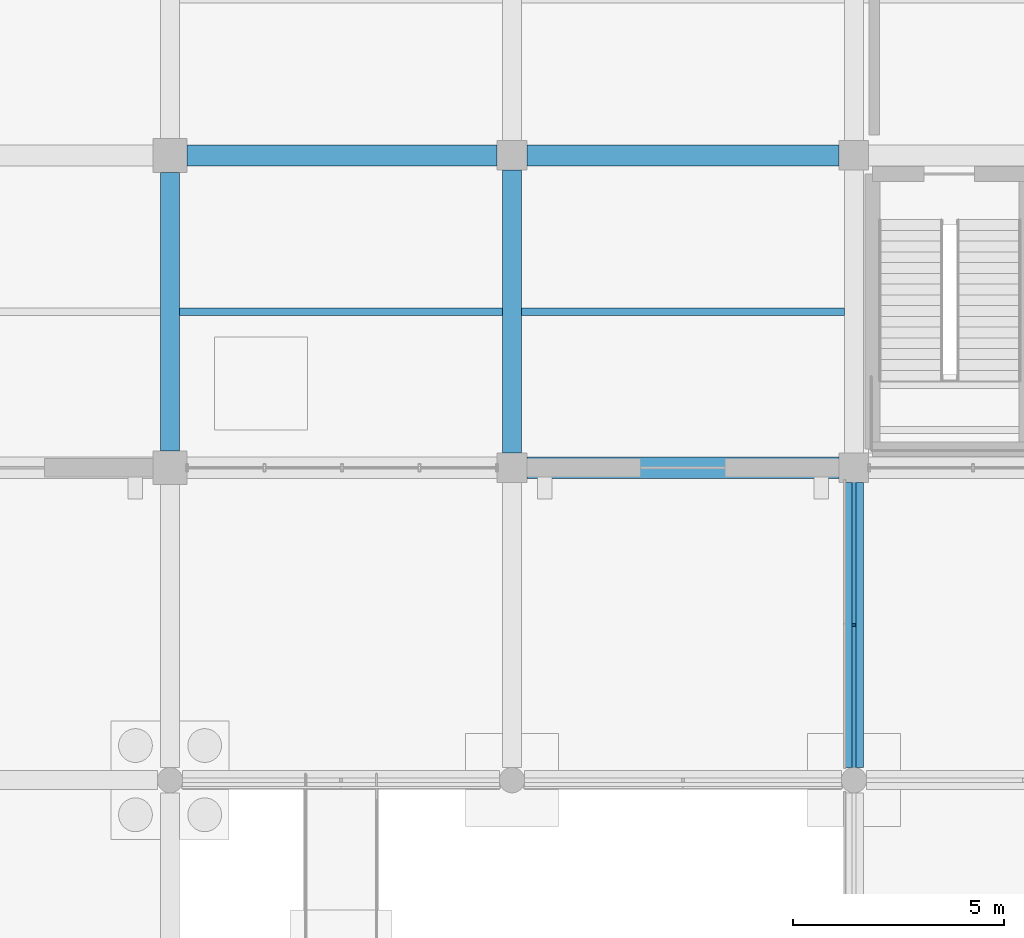
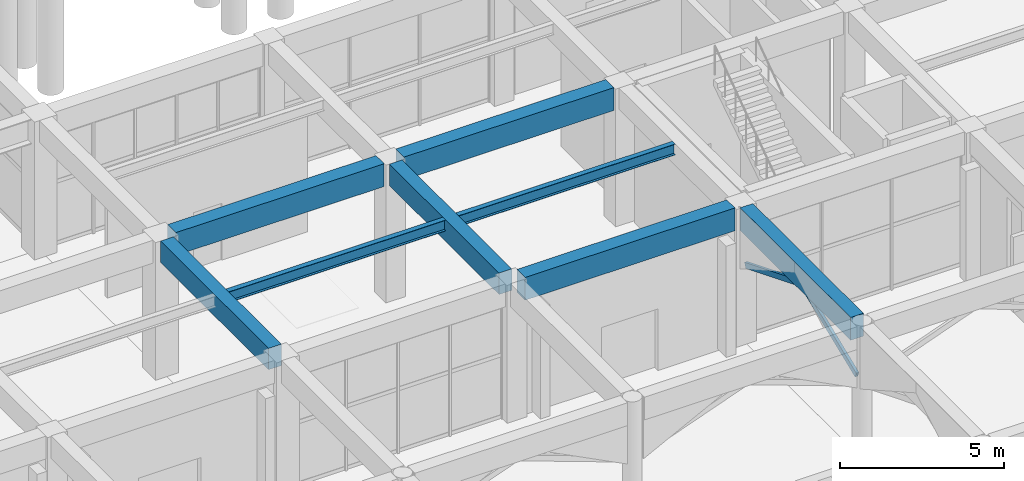
# One storey, part 34 of 140: 8 beams, 2 members.
"""IFC4 building model written with IfcOpenShell, lengths in metres."""

from ifc_helpers import new_model, si_unit, direction, frame, origin, origin_2d, place, context, subcontext, project, spatial, rectangle, hollow_rectangle, i_section, extrude, material, material_profile, profile_set, type_object, element, save


model = new_model("IFC4")

# Units and contexts
model_context = context("Model", 3, precision=1e-05, world=origin(), true_north=direction((0.0, 1.0)))
body_context = subcontext(model_context, "Body", "Model", "MODEL_VIEW")
ifc_project = project(units=[si_unit("LENGTHUNIT", "METRE"), si_unit("AREAUNIT", "SQUARE_METRE"), si_unit("VOLUMEUNIT", "CUBIC_METRE"), si_unit("PLANEANGLEUNIT", "RADIAN"), si_unit("MASSUNIT", "GRAM", prefix="KILO")], contexts=[model_context])

# Site, building, storey
site_placement = place(None, origin())
site = spatial("IfcSite", under=ifc_project, at=site_placement, CompositionType="ELEMENT")
building_placement = place(site_placement, origin())
building = spatial("IfcBuilding", under=site, at=building_placement, Name="Cimatlan Art Gallery", CompositionType="ELEMENT")
storey_placement = place(building_placement, origin())
storey = spatial("IfcBuildingStorey", under=building, at=storey_placement, Name="L00", CompositionType="ELEMENT", Elevation=0.0)

# Beams
ifc_material_1 = material(Name="Concrete C40/50", Category="concrete")
ifc_material_profile_1 = material_profile(ifc_material_1, rectangle(XDim=0.449951171875, YDim=0.85009765625, at=origin_2d()), Name="RC450X850")
ifc_profile_set_1 = profile_set([ifc_material_profile_1], Name="Concrete C40/50")
beam_type_1 = type_object("IfcBeamType", Name="BM-ARC-450X850", PredefinedType="SPANDREL", material=ifc_profile_set_1)
beam_1_placement = place(storey_placement, frame((115.39990234375, 16.800048828125, 4.735107421875), z_axis=(0.0, 1.0, 0.0), x_axis=(-1.0, 0.0, 0.0)))
element("IfcBeam", 1, at=beam_1_placement, inside=storey, type_object=beam_type_1, Name="BM-ARC-Y-14-02", PredefinedType="SPANDREL", context=body_context, shape_type="SweptSolid", body=[
    extrude(rectangle(XDim=0.449951171875, YDim=0.85009765625, at=origin_2d()), origin(), (0.0, 0.0, 1.0), 6.75),
])
ifc_material_profile_2 = material_profile(ifc_material_1, rectangle(XDim=0.449951171875, YDim=0.800048828125, at=origin_2d()), Name="RC450X800")
ifc_profile_set_2 = profile_set([ifc_material_profile_2], Name="Concrete C40/50")
beam_type_2 = type_object("IfcBeamType", Name="BM-RC-450X800", PredefinedType="BEAM", material=ifc_profile_set_2)
beam_2_placement = place(storey_placement, frame((99.199951171875, 24.300048828125, 4.735107421875), z_axis=(0.0, 1.0, 0.0), x_axis=(-1.0, 0.0, 0.0)))
element("IfcBeam", 2, at=beam_2_placement, inside=storey, type_object=beam_type_2, Name="BM-Y-L00-12-03", PredefinedType="BEAM", context=body_context, shape_type="SweptSolid", body=[
    extrude(rectangle(XDim=0.449951171875, YDim=0.800048828125, at=origin_2d()), origin(), (0.0, 0.0, 1.0), 6.599853515625),
])
beam_3_placement = place(storey_placement, frame((107.300048828125, 24.25, 4.735107421875), z_axis=(0.0, 1.0, 0.0), x_axis=(-1.0, 0.0, 0.0)))
element("IfcBeam", 3, at=beam_3_placement, inside=storey, type_object=beam_type_2, Name="BM-Y-L00-13-03", PredefinedType="BEAM", context=body_context, shape_type="SweptSolid", body=[
    extrude(rectangle(XDim=0.449951171875, YDim=0.800048828125, at=origin_2d()), origin(), (0.0, 0.0, 1.0), 6.699951171875),
])
ifc_material_profile_3 = material_profile(ifc_material_1, rectangle(XDim=0.5, YDim=0.85009765625, at=origin_2d()), Name="RC500X850")
ifc_profile_set_3 = profile_set([ifc_material_profile_3], Name="Concrete C40/50")
beam_type_3 = type_object("IfcBeamType", Name="BM-RC-500X850", PredefinedType="BEAM", material=ifc_profile_set_3)
beam_4_placement = place(storey_placement, frame((99.60009765625, 31.300048828125, 4.7099609375), z_axis=(1.0, 0.0, 0.0), x_axis=(0.0, 1.0, 0.0)))
element("IfcBeam", 4, at=beam_4_placement, inside=storey, type_object=beam_type_3, Name="BM-X-L00-12-04", PredefinedType="BEAM", context=body_context, shape_type="SweptSolid", body=[
    extrude(rectangle(XDim=0.5, YDim=0.85009765625, at=origin_2d()), origin(), (0.0, 0.0, 1.0), 7.349853515625),
])
for number, where, z_axis, x_axis, name in (
    (5, (107.64990234375, 23.89990234375, 4.7099609375), (1.0, 0.0, 0.0), (0.0, 1.0, 0.0), "BM-X-L00-13-03"),
    (6, (107.64990234375, 31.300048828125, 4.7099609375), (1.0, 0.0, 0.0), (0.0, 1.0, 0.0), "BM-X-L00-13-04"),
):
    element("IfcBeam", number, at=place(storey_placement, frame(where, z_axis=z_axis, x_axis=x_axis)), inside=storey, type_object=beam_type_3, Name=name, PredefinedType="BEAM", context=body_context, shape_type="SweptSolid", body=[
        extrude(rectangle(XDim=0.5, YDim=0.85009765625, at=origin_2d()), origin(), (0.0, 0.0, 1.0), 7.400146484375),
    ])
ifc_material_2 = material(Name="Steel ASTM A992 Grade 50", Category="steel")
ifc_material_profile_4 = material_profile(ifc_material_2, i_section(OverallWidth=0.177978515625, OverallDepth=0.406982421875, WebThickness=0.0078125, FlangeThickness=0.0126953125, at=origin_2d()), Name="W16X40")
ifc_profile_set_4 = profile_set([ifc_material_profile_4], Name="Steel ASTM A992 Grade 50")
beam_type_4 = type_object("IfcBeamType", Name="BM-STL-W16X40", PredefinedType="JOIST", material=ifc_profile_set_4)
beam_5_placement = place(storey_placement, frame((99.425048828125, 27.60009765625, 4.931396484375), z_axis=(1.0, 0.0, 0.0), x_axis=(0.0, 1.0, 0.0)))
element("IfcBeam", 7, at=beam_5_placement, inside=storey, type_object=beam_type_4, Name="JST-L00-12-03", PredefinedType="JOIST", context=body_context, shape_type="SweptSolid", body=[
    extrude(i_section(OverallWidth=0.177978515625, OverallDepth=0.406982421875, WebThickness=0.0078125, FlangeThickness=0.0126953125, at=origin_2d()), origin(), (0.0, 0.0, 1.0), 7.64990234375),
])
beam_6_placement = place(storey_placement, frame((107.52490234375, 27.60009765625, 4.931396484375), z_axis=(1.0, 0.0, 0.0), x_axis=(0.0, 1.0, 0.0)))
element("IfcBeam", 8, at=beam_6_placement, inside=storey, type_object=beam_type_4, Name="JST-L00-13-03", PredefinedType="JOIST", context=body_context, shape_type="SweptSolid", body=[
    extrude(i_section(OverallWidth=0.177978515625, OverallDepth=0.406982421875, WebThickness=0.0078125, FlangeThickness=0.0126953125, at=origin_2d()), origin(), (0.0, 0.0, 1.0), 7.650146484375),
])

# Members
ifc_material_3 = material(Name="Steel ASTM A500 Grade C", Category="steel")
ifc_material_profile_5 = material_profile(ifc_material_3, hollow_rectangle(XDim=0.10009765625, YDim=0.199951171875, WallThickness=0.008056640625, at=origin_2d()), Name="HSS200X100X8")
ifc_profile_set_5 = profile_set([ifc_material_profile_5], Name="Steel ASTM A500 Grade C")
member_type = type_object("IfcMemberType", Name="MBR-GOTH-RIB", PredefinedType="RAFTER", material=ifc_profile_set_5)
for number, where, z_axis, x_axis, name in (
    (9, (115.39990234375, 16.800048828125, 2.949951171875), (0.0, 0.927515769736, 0.373784024392), (-1.0, 0.0, 0.0), "RIB-ARC-Y-18S"),
    (10, (115.39990234375, 23.550048828125, 2.949951171875), (0.0, -0.927515769736, 0.373784024392), (1.0, 0.0, 0.0), "RIB-ARC-Y-18N"),
):
    element("IfcMember", number, at=place(storey_placement, frame(where, z_axis=z_axis, x_axis=x_axis)), inside=storey, type_object=member_type, Name=name, PredefinedType="RAFTER", context=body_context, shape_type="SweptSolid", body=[
        extrude(hollow_rectangle(XDim=0.10009765625, YDim=0.199951171875, WallThickness=0.008056640625, at=origin_2d()), origin(), (0.0, 0.0, 1.0), 3.638671875),
    ])

save(model, "model.ifc")
